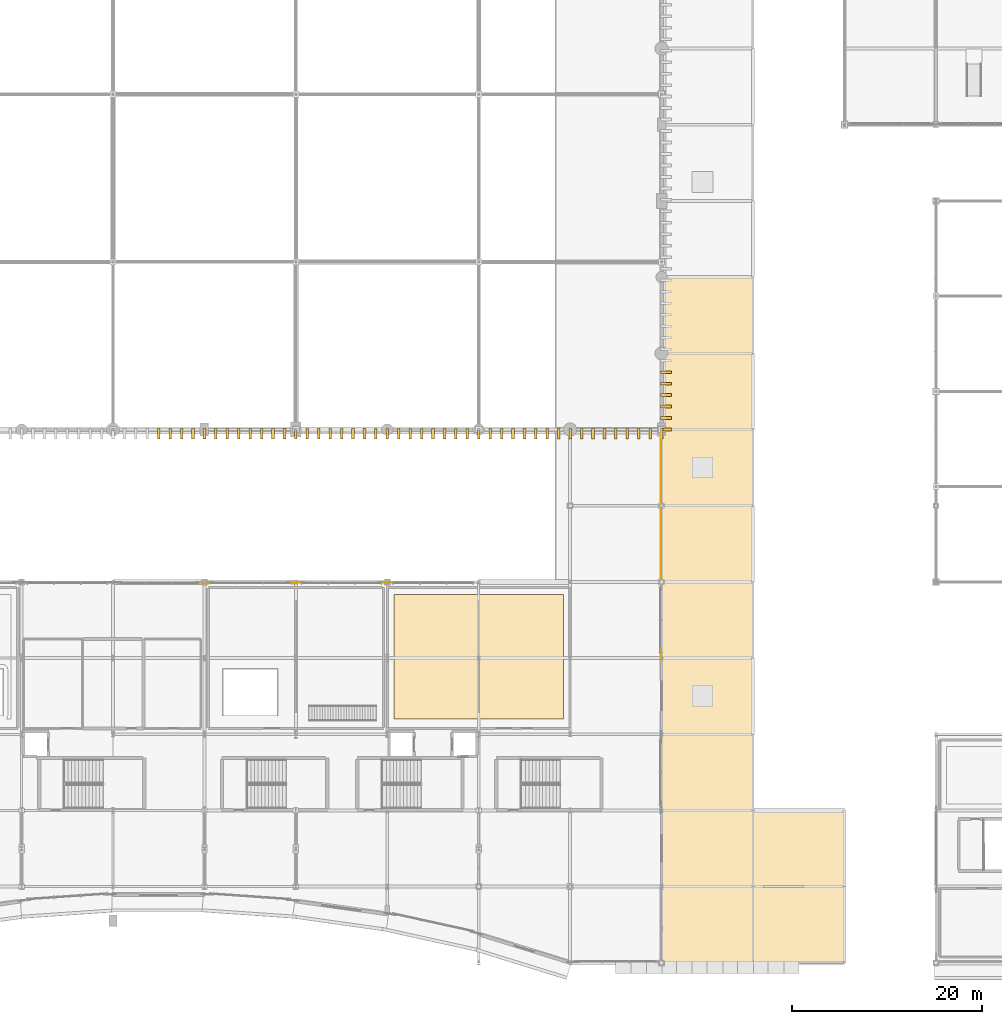
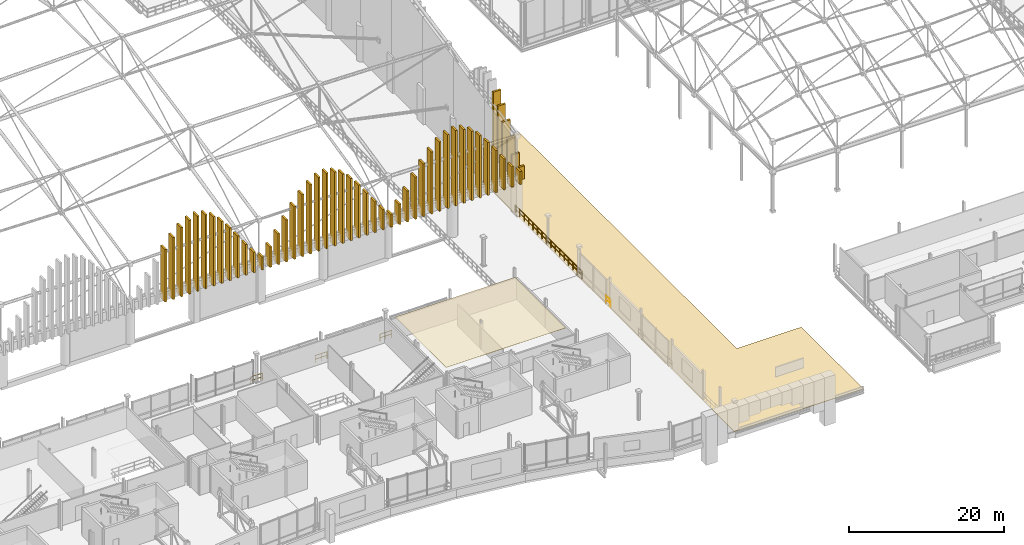
# One storey, part 180 of 193: 53 coverings, 5 railings.
"""IFC4 building model written with IfcOpenShell, lengths in metres."""

import ifcopenshell
import ifcopenshell.guid

model = None  # the IFC model being written
_history = None  # IfcOwnerHistory: only IFC2X3 demands one
_inside = {}  # id of a spatial element -> (the spatial element, [elements in it])
_under = {}  # id of a project, library or spatial element -> (it, [spatial elements below it])
_declared = {}  # id of a project -> (the project, [libraries it declares])
_typed = {}  # id of a type object -> (the type object, [elements of that type])
_made_of = {}  # id of a material, layer set ... -> (it, [elements and type objects made of it])


def new_model(schema):
    """Start an empty IFC model of exactly this schema.

    Asked for "IFC4X3", IfcOpenShell would pick the latest addendum, in which some entities
    have other attributes; the version numbers below select the first issue.
    IFC2X3 requires an IfcOwnerHistory on every rooted entity: one is made here for all.
    """
    global model, _history
    if schema == "IFC4X3":
        model = ifcopenshell.file(schema_version=(4, 3, 0, 0))
    else:
        model = ifcopenshell.file(schema=schema)
    _inside.clear()
    _under.clear()
    _declared.clear()
    _typed.clear()
    _made_of.clear()
    _history = None
    if model.schema == "IFC2X3":
        org = make("IfcOrganization", Name="unknown")
        user = make(
            "IfcPersonAndOrganization",
            ThePerson=make("IfcPerson", FamilyName="unknown"),
            TheOrganization=org,
        )
        app = make(
            "IfcApplication",
            ApplicationDeveloper=org,
            Version="unknown",
            ApplicationFullName="unknown",
            ApplicationIdentifier="unknown",
        )
        _history = make(
            "IfcOwnerHistory",
            OwningUser=user,
            OwningApplication=app,
            ChangeAction="ADDED",
            CreationDate=0,
        )
    return model


def make(cls, **values):
    """One entity of the class cls with the attributes given. An attribute that is None is left unset."""
    return model.create_entity(
        cls, **{name: value for name, value in values.items() if value is not None}
    )


def rooted(cls, **values):
    """An entity with a GlobalId (a new one), such as an element, a storey or a relation."""
    return make(cls, GlobalId=ifcopenshell.guid.new(), OwnerHistory=_history, **values)


def si_unit(unit_type, name, prefix=None):
    """IfcSIUnit, for example si_unit("LENGTHUNIT", "METRE", prefix="MILLI")."""
    return make("IfcSIUnit", UnitType=unit_type, Prefix=prefix, Name=name)


def assignment(units):
    """IfcUnitAssignment: the units of a project."""
    return None if units is None else make("IfcUnitAssignment", Units=units)


def point(xyz):
    """IfcCartesianPoint."""
    return None if xyz is None else make("IfcCartesianPoint", Coordinates=xyz)


def direction(xyz):
    """IfcDirection."""
    return None if xyz is None else make("IfcDirection", DirectionRatios=xyz)


def frame(location, z_axis=None, x_axis=None):
    """IfcAxis2Placement3D, a coordinate frame: its origin and axes. An axis left out is left unset."""
    return make(
        "IfcAxis2Placement3D",
        Location=point(location),
        Axis=direction(z_axis),
        RefDirection=direction(x_axis),
    )


def frame_2d(location, x_axis=None):
    """IfcAxis2Placement2D, a coordinate frame in the plane: its origin and x axis."""
    return make(
        "IfcAxis2Placement2D", Location=point(location), RefDirection=direction(x_axis)
    )


def origin():
    """The frame at (0, 0, 0) with its axes left unset."""
    return frame((0.0, 0.0, 0.0))


def origin_2d():
    """The frame at (0, 0) in the plane with its x axis left unset."""
    return frame_2d((0.0, 0.0))


def place(relative_to, where):
    """IfcLocalPlacement: puts the frame where relative to a parent placement (None: the world)."""
    return make(
        "IfcLocalPlacement", PlacementRelTo=relative_to, RelativePlacement=where
    )


def context(
    kind, dimensions, precision=None, world=None, true_north=None, identifier=None
):
    """IfcGeometricRepresentationContext, for example the 3D "Model" context."""
    return make(
        "IfcGeometricRepresentationContext",
        ContextIdentifier=identifier,
        ContextType=kind,
        CoordinateSpaceDimension=dimensions,
        Precision=precision,
        WorldCoordinateSystem=world,
        TrueNorth=true_north,
    )


def subcontext(parent, identifier, kind, view, scale=None):
    """IfcGeometricRepresentationSubContext, for example "Body" below "Model"."""
    return make(
        "IfcGeometricRepresentationSubContext",
        ContextIdentifier=identifier,
        ContextType=kind,
        ParentContext=parent,
        TargetScale=scale,
        TargetView=view,
    )


def project(units=None, contexts=None):
    """IfcProject with its units and contexts."""
    return rooted(
        "IfcProject",
        Name="project",
        RepresentationContexts=contexts,
        UnitsInContext=assignment(units),
    )


def spatial(cls, under=None, at=None, **own):
    """A site, building, storey or space (cls), placed at a placement, below another one or the project."""
    s = rooted(cls, ObjectPlacement=at, **own)
    if under is not None:
        _under.setdefault(under.id(), (under, []))[1].append(s)
    return s


def polyline(points):
    """IfcPolyline through the points."""
    return make("IfcPolyline", Points=[point(p) for p in points])


def profile(cls, at=None, kind="AREA", **sizes):
    """A parametric profile (cls). Its sizes go by their IFC names, for example OverallWidth=200.0."""
    return make(cls, ProfileType=kind, Position=at, **sizes)


def rectangle(**sizes):
    """IfcRectangleProfileDef."""
    return profile("IfcRectangleProfileDef", **sizes)


def circle(**sizes):
    """IfcCircleProfileDef."""
    return profile("IfcCircleProfileDef", **sizes)


def outline(outer, holes=None, kind="AREA"):
    """IfcArbitraryClosedProfileDef: a profile drawn as a closed curve; with holes, ...WithVoids."""
    if holes is None:
        return make("IfcArbitraryClosedProfileDef", ProfileType=kind, OuterCurve=outer)
    return make(
        "IfcArbitraryProfileDefWithVoids",
        ProfileType=kind,
        OuterCurve=outer,
        InnerCurves=holes,
    )


def extrude(swept, where, along, depth):
    """IfcExtrudedAreaSolid: the profile swept, set in the frame where, extruded along a direction by depth."""
    return make(
        "IfcExtrudedAreaSolid",
        SweptArea=swept,
        Position=where,
        ExtrudedDirection=direction(along),
        Depth=depth,
    )


def shape(context_of_items, identifier, shape_type, items):
    """IfcShapeRepresentation: the items that make up one representation, for example the "Body"."""
    return make(
        "IfcShapeRepresentation",
        ContextOfItems=context_of_items,
        RepresentationIdentifier=identifier,
        RepresentationType=shape_type,
        Items=items,
    )


def material(Name=None, Category=None):
    """IfcMaterial."""
    return make("IfcMaterial", Name=Name, Category=Category)


def layer(
    of_material, thickness, ventilated=None, Name=None, Category=None, Priority=None
):
    """IfcMaterialLayer: one layer of a wall or slab, of a material (None: an air gap)."""
    return make(
        "IfcMaterialLayer",
        Material=of_material,
        LayerThickness=thickness,
        IsVentilated=ventilated,
        Name=Name,
        Category=Category,
        Priority=Priority,
    )


def layer_set(layers, Name=None):
    """IfcMaterialLayerSet."""
    return make("IfcMaterialLayerSet", MaterialLayers=layers, LayerSetName=Name)


def made_of(thing, what):
    """Note that an element or type object is made of a material, layer set ...; save() writes the relation."""
    if what is not None:
        _made_of.setdefault(what.id(), (what, []))[1].append(thing)
    return thing


def type_object(cls, material=None, **own):
    """A type object (cls), such as IfcWallType, which elements share."""
    return made_of(rooted(cls, **own), material)


def element(
    cls,
    number,
    at=None,
    inside=None,
    cuts=None,
    type_object=None,
    material=None,
    context=None,
    identifier="Body",
    shape_type=None,
    held_by="IfcProductDefinitionShape",
    body=None,
    shapes=None,
    **own,
):
    """One element of the class cls, such as IfcWall. Its Tag is "e" and its number.

    at: its placement. inside: the storey or other place that contains it. cuts: it is an
    opening in that element (IfcRelVoidsElement). A single representation is given by context,
    identifier, shape_type and body (its items); several are given by shapes. held_by: the class
    of the entity that holds the representations. save() writes the other relations.
    """
    e = rooted(cls, Tag="e%d" % number, ObjectPlacement=at, **own)
    if body is not None:
        shapes = [shape(context, identifier, shape_type, body)]
    if shapes is not None:
        e.Representation = make(held_by, Representations=shapes)
    if inside is not None:
        _inside.setdefault(inside.id(), (inside, []))[1].append(e)
    if cuts is not None:
        rooted(
            "IfcRelVoidsElement", RelatingBuildingElement=cuts, RelatedOpeningElement=e
        )
    if type_object is not None:
        _typed.setdefault(type_object.id(), (type_object, []))[1].append(e)
    return made_of(e, material)


def aggregate(whole, parts):
    """IfcRelAggregates: a whole, such as a stair, and the parts it consists of."""
    return rooted("IfcRelAggregates", RelatingObject=whole, RelatedObjects=parts)


def save(model, path):
    """Write the relations noted so far, then the file.

    IfcRelAggregates (storeys below a building ...), IfcRelContainedInSpatialStructure (elements
    in a storey), IfcRelDefinesByType, IfcRelAssociatesMaterial and IfcRelDeclares: one each for
    every whole, place, type object, material and project.
    """
    for whole, parts in _under.values():
        aggregate(whole, parts)
    for where, things in _inside.values():
        rooted(
            "IfcRelContainedInSpatialStructure",
            RelatedElements=things,
            RelatingStructure=where,
        )
    for kind, things in _typed.values():
        rooted("IfcRelDefinesByType", RelatedObjects=things, RelatingType=kind)
    for what, things in _made_of.values():
        rooted("IfcRelAssociatesMaterial", RelatedObjects=things, RelatingMaterial=what)
    for by, libraries in _declared.values():
        rooted("IfcRelDeclares", RelatingContext=by, RelatedDefinitions=libraries)
    model.write(path)


model = new_model("IFC4")

# Units and contexts
model_context = context("Model", 3, precision=1e-05, world=origin(), true_north=direction((0.0, 1.0)))
body_context = subcontext(model_context, "Body", "Model", "MODEL_VIEW")
ifc_project = project(units=[si_unit("LENGTHUNIT", "METRE"), si_unit("AREAUNIT", "SQUARE_METRE"), si_unit("VOLUMEUNIT", "CUBIC_METRE"), si_unit("PLANEANGLEUNIT", "RADIAN"), si_unit("MASSUNIT", "GRAM", prefix="KILO")], contexts=[model_context])

# Site, building, storey
site_placement = place(None, origin())
site = spatial("IfcSite", under=ifc_project, at=site_placement, CompositionType="ELEMENT")
building_placement = place(site_placement, origin())
building = spatial("IfcBuilding", under=site, at=building_placement, Name="Danafjord Basin Convention Centre", CompositionType="ELEMENT")
storey_placement = place(building_placement, frame((0.0, 0.0, 11.39990234375)))
storey = spatial("IfcBuildingStorey", under=building, at=storey_placement, Name="L02", CompositionType="ELEMENT", Elevation=11.39990234375)

# Coverings
ifc_material_1 = material(Name="Perforated Nordic birch acoustic slats")
ifc_layer_1 = layer(ifc_material_1, 0.0400390625)
ifc_layer_set_1 = layer_set([ifc_layer_1], Name="Perforated Nordic birch acoustic slats")
covering_type_1 = type_object("IfcCoveringType", Name="COV-CLG-AC01", PredefinedType="CEILING", material=ifc_layer_set_1)
covering_1_placement = place(storey_placement, frame((0.0, 0.0, 3.989990234375)))
element("IfcCovering", 1, at=covering_1_placement, inside=storey, type_object=covering_type_1, Name="Subdivisible Conference Hall C204 acoustic ceiling", PredefinedType="CEILING", context=body_context, shape_type="SweptSolid", body=[
    extrude(outline(polyline([(104.89990234375, 38.699951171875), (104.89990234375, 25.590087890625), (87.10009765625, 25.590087890625), (87.10009765625, 38.699951171875), (104.89990234375, 38.699951171875)])), origin(), (0.0, 0.0, 1.0), 0.0400390625),
])
ifc_material_2 = material(Name="Architectural white precast concrete C45/55", Category="concrete")
ifc_layer_2 = layer(ifc_material_2, 0.280029296875)
ifc_layer_set_2 = layer_set([ifc_layer_2], Name="Architectural white precast concrete C45/55")
covering_type_2 = type_object("IfcCoveringType", Name="COV-FIN-RIDGE", PredefinedType="CLADDING", material=ifc_layer_set_2)
covering_2_placement = place(storey_placement, frame((62.39990234375, 55.550048828125, 5.150146484375), z_axis=(0.0, 0.0, 1.0), x_axis=(0.0, 1.0, 0.0)))
element("IfcCovering", 2, at=covering_2_placement, inside=storey, type_object=covering_type_2, Name="V1 S white vertical mountain-ridge fin 53", PredefinedType="CLADDING", context=body_context, shape_type="SweptSolid", body=[
    extrude(rectangle(XDim=1.139892578125, YDim=0.280029296875, at=origin_2d()), origin(), (0.0, 0.0, 1.0), 8.29541015625),
])
covering_3_placement = place(storey_placement, frame((63.60009765625, 55.550048828125, 5.14990234375), z_axis=(0.0, 0.0, 1.0), x_axis=(0.0, 1.0, 0.0)))
element("IfcCovering", 3, at=covering_3_placement, inside=storey, type_object=covering_type_2, Name="V1 S white vertical mountain-ridge fin 54", PredefinedType="CLADDING", context=body_context, shape_type="SweptSolid", body=[
    extrude(rectangle(XDim=1.139892578125, YDim=0.280029296875, at=origin_2d()), origin(), (0.0, 0.0, 1.0), 9.759521484375),
])
covering_4_placement = place(storey_placement, frame((64.800048828125, 55.550048828125, 5.150146484375), z_axis=(0.0, 0.0, 1.0), x_axis=(0.0, 1.0, 0.0)))
element("IfcCovering", 4, at=covering_4_placement, inside=storey, type_object=covering_type_2, Name="V1 S white vertical mountain-ridge fin 55", PredefinedType="CLADDING", context=body_context, shape_type="SweptSolid", body=[
    extrude(rectangle(XDim=1.139892578125, YDim=0.280029296875, at=origin_2d()), origin(), (0.0, 0.0, 1.0), 10.8916015625),
])
covering_5_placement = place(storey_placement, frame((66.0, 55.550048828125, 5.14990234375), z_axis=(0.0, 0.0, 1.0), x_axis=(0.0, 1.0, 0.0)))
element("IfcCovering", 5, at=covering_5_placement, inside=storey, type_object=covering_type_2, Name="V1 S white vertical mountain-ridge fin 56", PredefinedType="CLADDING", context=body_context, shape_type="SweptSolid", body=[
    extrude(rectangle(XDim=1.139892578125, YDim=0.280029296875, at=origin_2d()), origin(), (0.0, 0.0, 1.0), 11.60595703125),
])
covering_6_placement = place(storey_placement, frame((67.199951171875, 55.550048828125, 5.150146484375), z_axis=(0.0, 0.0, 1.0), x_axis=(0.0, 1.0, 0.0)))
element("IfcCovering", 6, at=covering_6_placement, inside=storey, type_object=covering_type_2, Name="V1 S white vertical mountain-ridge fin 57", PredefinedType="CLADDING", context=body_context, shape_type="SweptSolid", body=[
    extrude(rectangle(XDim=1.139892578125, YDim=0.280029296875, at=origin_2d()), origin(), (0.0, 0.0, 1.0), 11.85009765625),
])
covering_7_placement = place(storey_placement, frame((68.39990234375, 55.550048828125, 5.14990234375), z_axis=(0.0, 0.0, 1.0), x_axis=(0.0, 1.0, 0.0)))
element("IfcCovering", 7, at=covering_7_placement, inside=storey, type_object=covering_type_2, Name="V1 S white vertical mountain-ridge fin 58", PredefinedType="CLADDING", context=body_context, shape_type="SweptSolid", body=[
    extrude(rectangle(XDim=1.139892578125, YDim=0.280029296875, at=origin_2d()), origin(), (0.0, 0.0, 1.0), 11.60595703125),
])
covering_8_placement = place(storey_placement, frame((69.60009765625, 55.550048828125, 5.150146484375), z_axis=(0.0, 0.0, 1.0), x_axis=(0.0, 1.0, 0.0)))
element("IfcCovering", 8, at=covering_8_placement, inside=storey, type_object=covering_type_2, Name="V1 S white vertical mountain-ridge fin 59", PredefinedType="CLADDING", context=body_context, shape_type="SweptSolid", body=[
    extrude(rectangle(XDim=1.139892578125, YDim=0.280029296875, at=origin_2d()), origin(), (0.0, 0.0, 1.0), 10.8916015625),
])
covering_9_placement = place(storey_placement, frame((70.800048828125, 55.550048828125, 5.14990234375), z_axis=(0.0, 0.0, 1.0), x_axis=(0.0, 1.0, 0.0)))
element("IfcCovering", 9, at=covering_9_placement, inside=storey, type_object=covering_type_2, Name="V1 S white vertical mountain-ridge fin 60", PredefinedType="CLADDING", context=body_context, shape_type="SweptSolid", body=[
    extrude(rectangle(XDim=1.139892578125, YDim=0.280029296875, at=origin_2d()), origin(), (0.0, 0.0, 1.0), 9.759521484375),
])
covering_10_placement = place(storey_placement, frame((72.0, 55.550048828125, 5.150146484375), z_axis=(0.0, 0.0, 1.0), x_axis=(0.0, 1.0, 0.0)))
element("IfcCovering", 10, at=covering_10_placement, inside=storey, type_object=covering_type_2, Name="V1 S white vertical mountain-ridge fin 61", PredefinedType="CLADDING", context=body_context, shape_type="SweptSolid", body=[
    extrude(rectangle(XDim=1.139892578125, YDim=0.280029296875, at=origin_2d()), origin(), (0.0, 0.0, 1.0), 8.29541015625),
])
covering_11_placement = place(storey_placement, frame((73.199951171875, 55.550048828125, 5.14990234375), z_axis=(0.0, 0.0, 1.0), x_axis=(0.0, 1.0, 0.0)))
element("IfcCovering", 11, at=covering_11_placement, inside=storey, type_object=covering_type_2, Name="V1 S white vertical mountain-ridge fin 62", PredefinedType="CLADDING", context=body_context, shape_type="SweptSolid", body=[
    extrude(rectangle(XDim=1.139892578125, YDim=0.280029296875, at=origin_2d()), origin(), (0.0, 0.0, 1.0), 6.614501953125),
])
covering_12_placement = place(storey_placement, frame((74.39990234375, 55.550048828125, 5.150146484375), z_axis=(0.0, 0.0, 1.0), x_axis=(0.0, 1.0, 0.0)))
element("IfcCovering", 12, at=covering_12_placement, inside=storey, type_object=covering_type_2, Name="V1 S white vertical mountain-ridge fin 63", PredefinedType="CLADDING", context=body_context, shape_type="SweptSolid", body=[
    extrude(rectangle(XDim=1.139892578125, YDim=0.280029296875, at=origin_2d()), origin(), (0.0, 0.0, 1.0), 4.861328125),
])
covering_13_placement = place(storey_placement, frame((75.60009765625, 55.550048828125, 5.14990234375), z_axis=(0.0, 0.0, 1.0), x_axis=(0.0, 1.0, 0.0)))
element("IfcCovering", 13, at=covering_13_placement, inside=storey, type_object=covering_type_2, Name="V1 S white vertical mountain-ridge fin 64", PredefinedType="CLADDING", context=body_context, shape_type="SweptSolid", body=[
    extrude(rectangle(XDim=1.139892578125, YDim=0.280029296875, at=origin_2d()), origin(), (0.0, 0.0, 1.0), 3.220947265625),
])
covering_14_placement = place(storey_placement, frame((76.800048828125, 55.550048828125, 5.14990234375), z_axis=(0.0, 0.0, 1.0), x_axis=(0.0, 1.0, 0.0)))
element("IfcCovering", 14, at=covering_14_placement, inside=storey, type_object=covering_type_2, Name="V1 S white vertical mountain-ridge fin 65", PredefinedType="CLADDING", context=body_context, shape_type="SweptSolid", body=[
    extrude(rectangle(XDim=1.139892578125, YDim=0.280029296875, at=origin_2d()), origin(), (0.0, 0.0, 1.0), 2.050048828125),
])
covering_15_placement = place(storey_placement, frame((78.0, 55.550048828125, 5.14990234375), z_axis=(0.0, 0.0, 1.0), x_axis=(0.0, 1.0, 0.0)))
element("IfcCovering", 15, at=covering_15_placement, inside=storey, type_object=covering_type_2, Name="V1 S white vertical mountain-ridge fin 66", PredefinedType="CLADDING", context=body_context, shape_type="SweptSolid", body=[
    extrude(rectangle(XDim=1.139892578125, YDim=0.280029296875, at=origin_2d()), origin(), (0.0, 0.0, 1.0), 3.220947265625),
])
covering_16_placement = place(storey_placement, frame((79.199951171875, 55.550048828125, 5.150146484375), z_axis=(0.0, 0.0, 1.0), x_axis=(0.0, 1.0, 0.0)))
element("IfcCovering", 16, at=covering_16_placement, inside=storey, type_object=covering_type_2, Name="V1 S white vertical mountain-ridge fin 67", PredefinedType="CLADDING", context=body_context, shape_type="SweptSolid", body=[
    extrude(rectangle(XDim=1.139892578125, YDim=0.280029296875, at=origin_2d()), origin(), (0.0, 0.0, 1.0), 4.861328125),
])
covering_17_placement = place(storey_placement, frame((80.39990234375, 55.550048828125, 5.14990234375), z_axis=(0.0, 0.0, 1.0), x_axis=(0.0, 1.0, 0.0)))
element("IfcCovering", 17, at=covering_17_placement, inside=storey, type_object=covering_type_2, Name="V1 S white vertical mountain-ridge fin 68", PredefinedType="CLADDING", context=body_context, shape_type="SweptSolid", body=[
    extrude(rectangle(XDim=1.139892578125, YDim=0.280029296875, at=origin_2d()), origin(), (0.0, 0.0, 1.0), 6.614501953125),
])
covering_18_placement = place(storey_placement, frame((81.60009765625, 55.550048828125, 5.150146484375), z_axis=(0.0, 0.0, 1.0), x_axis=(0.0, 1.0, 0.0)))
element("IfcCovering", 18, at=covering_18_placement, inside=storey, type_object=covering_type_2, Name="V1 S white vertical mountain-ridge fin 69", PredefinedType="CLADDING", context=body_context, shape_type="SweptSolid", body=[
    extrude(rectangle(XDim=1.139892578125, YDim=0.280029296875, at=origin_2d()), origin(), (0.0, 0.0, 1.0), 8.29541015625),
])
covering_19_placement = place(storey_placement, frame((82.800048828125, 55.550048828125, 5.14990234375), z_axis=(0.0, 0.0, 1.0), x_axis=(0.0, 1.0, 0.0)))
element("IfcCovering", 19, at=covering_19_placement, inside=storey, type_object=covering_type_2, Name="V1 S white vertical mountain-ridge fin 70", PredefinedType="CLADDING", context=body_context, shape_type="SweptSolid", body=[
    extrude(rectangle(XDim=1.139892578125, YDim=0.280029296875, at=origin_2d()), origin(), (0.0, 0.0, 1.0), 9.759521484375),
])
covering_20_placement = place(storey_placement, frame((84.0, 55.550048828125, 5.150146484375), z_axis=(0.0, 0.0, 1.0), x_axis=(0.0, 1.0, 0.0)))
element("IfcCovering", 20, at=covering_20_placement, inside=storey, type_object=covering_type_2, Name="V1 S white vertical mountain-ridge fin 71", PredefinedType="CLADDING", context=body_context, shape_type="SweptSolid", body=[
    extrude(rectangle(XDim=1.139892578125, YDim=0.280029296875, at=origin_2d()), origin(), (0.0, 0.0, 1.0), 10.8916015625),
])
covering_21_placement = place(storey_placement, frame((85.199951171875, 55.550048828125, 5.14990234375), z_axis=(0.0, 0.0, 1.0), x_axis=(0.0, 1.0, 0.0)))
element("IfcCovering", 21, at=covering_21_placement, inside=storey, type_object=covering_type_2, Name="V1 S white vertical mountain-ridge fin 72", PredefinedType="CLADDING", context=body_context, shape_type="SweptSolid", body=[
    extrude(rectangle(XDim=1.139892578125, YDim=0.280029296875, at=origin_2d()), origin(), (0.0, 0.0, 1.0), 11.60595703125),
])
covering_22_placement = place(storey_placement, frame((86.39990234375, 55.550048828125, 5.150146484375), z_axis=(0.0, 0.0, 1.0), x_axis=(0.0, 1.0, 0.0)))
element("IfcCovering", 22, at=covering_22_placement, inside=storey, type_object=covering_type_2, Name="V1 S white vertical mountain-ridge fin 73", PredefinedType="CLADDING", context=body_context, shape_type="SweptSolid", body=[
    extrude(rectangle(XDim=1.139892578125, YDim=0.280029296875, at=origin_2d()), origin(), (0.0, 0.0, 1.0), 11.85009765625),
])
covering_23_placement = place(storey_placement, frame((87.60009765625, 55.550048828125, 5.14990234375), z_axis=(0.0, 0.0, 1.0), x_axis=(0.0, 1.0, 0.0)))
element("IfcCovering", 23, at=covering_23_placement, inside=storey, type_object=covering_type_2, Name="V1 S white vertical mountain-ridge fin 74", PredefinedType="CLADDING", context=body_context, shape_type="SweptSolid", body=[
    extrude(rectangle(XDim=1.139892578125, YDim=0.280029296875, at=origin_2d()), origin(), (0.0, 0.0, 1.0), 11.60595703125),
])
covering_24_placement = place(storey_placement, frame((88.800048828125, 55.550048828125, 5.150146484375), z_axis=(0.0, 0.0, 1.0), x_axis=(0.0, 1.0, 0.0)))
element("IfcCovering", 24, at=covering_24_placement, inside=storey, type_object=covering_type_2, Name="V1 S white vertical mountain-ridge fin 75", PredefinedType="CLADDING", context=body_context, shape_type="SweptSolid", body=[
    extrude(rectangle(XDim=1.139892578125, YDim=0.280029296875, at=origin_2d()), origin(), (0.0, 0.0, 1.0), 10.8916015625),
])
covering_25_placement = place(storey_placement, frame((90.0, 55.550048828125, 5.14990234375), z_axis=(0.0, 0.0, 1.0), x_axis=(0.0, 1.0, 0.0)))
element("IfcCovering", 25, at=covering_25_placement, inside=storey, type_object=covering_type_2, Name="V1 S white vertical mountain-ridge fin 76", PredefinedType="CLADDING", context=body_context, shape_type="SweptSolid", body=[
    extrude(rectangle(XDim=1.139892578125, YDim=0.280029296875, at=origin_2d()), origin(), (0.0, 0.0, 1.0), 9.759521484375),
])
covering_26_placement = place(storey_placement, frame((91.199951171875, 55.550048828125, 5.150146484375), z_axis=(0.0, 0.0, 1.0), x_axis=(0.0, 1.0, 0.0)))
element("IfcCovering", 26, at=covering_26_placement, inside=storey, type_object=covering_type_2, Name="V1 S white vertical mountain-ridge fin 77", PredefinedType="CLADDING", context=body_context, shape_type="SweptSolid", body=[
    extrude(rectangle(XDim=1.139892578125, YDim=0.280029296875, at=origin_2d()), origin(), (0.0, 0.0, 1.0), 8.29541015625),
])
covering_27_placement = place(storey_placement, frame((92.39990234375, 55.550048828125, 5.14990234375), z_axis=(0.0, 0.0, 1.0), x_axis=(0.0, 1.0, 0.0)))
element("IfcCovering", 27, at=covering_27_placement, inside=storey, type_object=covering_type_2, Name="V1 S white vertical mountain-ridge fin 78", PredefinedType="CLADDING", context=body_context, shape_type="SweptSolid", body=[
    extrude(rectangle(XDim=1.139892578125, YDim=0.280029296875, at=origin_2d()), origin(), (0.0, 0.0, 1.0), 6.614501953125),
])
covering_28_placement = place(storey_placement, frame((93.60009765625, 55.550048828125, 5.150146484375), z_axis=(0.0, 0.0, 1.0), x_axis=(0.0, 1.0, 0.0)))
element("IfcCovering", 28, at=covering_28_placement, inside=storey, type_object=covering_type_2, Name="V1 S white vertical mountain-ridge fin 79", PredefinedType="CLADDING", context=body_context, shape_type="SweptSolid", body=[
    extrude(rectangle(XDim=1.139892578125, YDim=0.280029296875, at=origin_2d()), origin(), (0.0, 0.0, 1.0), 4.861328125),
])
covering_29_placement = place(storey_placement, frame((94.800048828125, 55.550048828125, 5.14990234375), z_axis=(0.0, 0.0, 1.0), x_axis=(0.0, 1.0, 0.0)))
element("IfcCovering", 29, at=covering_29_placement, inside=storey, type_object=covering_type_2, Name="V1 S white vertical mountain-ridge fin 80", PredefinedType="CLADDING", context=body_context, shape_type="SweptSolid", body=[
    extrude(rectangle(XDim=1.139892578125, YDim=0.280029296875, at=origin_2d()), origin(), (0.0, 0.0, 1.0), 3.220947265625),
])
covering_30_placement = place(storey_placement, frame((96.0, 55.550048828125, 5.14990234375), z_axis=(0.0, 0.0, 1.0), x_axis=(0.0, 1.0, 0.0)))
element("IfcCovering", 30, at=covering_30_placement, inside=storey, type_object=covering_type_2, Name="V1 S white vertical mountain-ridge fin 81", PredefinedType="CLADDING", context=body_context, shape_type="SweptSolid", body=[
    extrude(rectangle(XDim=1.139892578125, YDim=0.280029296875, at=origin_2d()), origin(), (0.0, 0.0, 1.0), 2.050048828125),
])
covering_31_placement = place(storey_placement, frame((97.199951171875, 55.550048828125, 5.14990234375), z_axis=(0.0, 0.0, 1.0), x_axis=(0.0, 1.0, 0.0)))
element("IfcCovering", 31, at=covering_31_placement, inside=storey, type_object=covering_type_2, Name="V1 S white vertical mountain-ridge fin 82", PredefinedType="CLADDING", context=body_context, shape_type="SweptSolid", body=[
    extrude(rectangle(XDim=1.139892578125, YDim=0.280029296875, at=origin_2d()), origin(), (0.0, 0.0, 1.0), 3.220947265625),
])
covering_32_placement = place(storey_placement, frame((98.39990234375, 55.550048828125, 5.150146484375), z_axis=(0.0, 0.0, 1.0), x_axis=(0.0, 1.0, 0.0)))
element("IfcCovering", 32, at=covering_32_placement, inside=storey, type_object=covering_type_2, Name="V1 S white vertical mountain-ridge fin 83", PredefinedType="CLADDING", context=body_context, shape_type="SweptSolid", body=[
    extrude(rectangle(XDim=1.139892578125, YDim=0.280029296875, at=origin_2d()), origin(), (0.0, 0.0, 1.0), 4.861328125),
])
covering_33_placement = place(storey_placement, frame((99.60009765625, 55.550048828125, 5.14990234375), z_axis=(0.0, 0.0, 1.0), x_axis=(0.0, 1.0, 0.0)))
element("IfcCovering", 33, at=covering_33_placement, inside=storey, type_object=covering_type_2, Name="V1 S white vertical mountain-ridge fin 84", PredefinedType="CLADDING", context=body_context, shape_type="SweptSolid", body=[
    extrude(rectangle(XDim=1.139892578125, YDim=0.280029296875, at=origin_2d()), origin(), (0.0, 0.0, 1.0), 6.614501953125),
])
covering_34_placement = place(storey_placement, frame((100.800048828125, 55.550048828125, 5.150146484375), z_axis=(0.0, 0.0, 1.0), x_axis=(0.0, 1.0, 0.0)))
element("IfcCovering", 34, at=covering_34_placement, inside=storey, type_object=covering_type_2, Name="V1 S white vertical mountain-ridge fin 85", PredefinedType="CLADDING", context=body_context, shape_type="SweptSolid", body=[
    extrude(rectangle(XDim=1.139892578125, YDim=0.280029296875, at=origin_2d()), origin(), (0.0, 0.0, 1.0), 8.29541015625),
])
covering_35_placement = place(storey_placement, frame((102.0, 55.550048828125, 5.14990234375), z_axis=(0.0, 0.0, 1.0), x_axis=(0.0, 1.0, 0.0)))
element("IfcCovering", 35, at=covering_35_placement, inside=storey, type_object=covering_type_2, Name="V1 S white vertical mountain-ridge fin 86", PredefinedType="CLADDING", context=body_context, shape_type="SweptSolid", body=[
    extrude(rectangle(XDim=1.139892578125, YDim=0.280029296875, at=origin_2d()), origin(), (0.0, 0.0, 1.0), 9.759521484375),
])
covering_36_placement = place(storey_placement, frame((103.199951171875, 55.550048828125, 5.150146484375), z_axis=(0.0, 0.0, 1.0), x_axis=(0.0, 1.0, 0.0)))
element("IfcCovering", 36, at=covering_36_placement, inside=storey, type_object=covering_type_2, Name="V1 S white vertical mountain-ridge fin 87", PredefinedType="CLADDING", context=body_context, shape_type="SweptSolid", body=[
    extrude(rectangle(XDim=1.139892578125, YDim=0.280029296875, at=origin_2d()), origin(), (0.0, 0.0, 1.0), 10.8916015625),
])
covering_37_placement = place(storey_placement, frame((104.39990234375, 55.550048828125, 5.14990234375), z_axis=(0.0, 0.0, 1.0), x_axis=(0.0, 1.0, 0.0)))
element("IfcCovering", 37, at=covering_37_placement, inside=storey, type_object=covering_type_2, Name="V1 S white vertical mountain-ridge fin 88", PredefinedType="CLADDING", context=body_context, shape_type="SweptSolid", body=[
    extrude(rectangle(XDim=1.139892578125, YDim=0.280029296875, at=origin_2d()), origin(), (0.0, 0.0, 1.0), 11.60595703125),
])
covering_38_placement = place(storey_placement, frame((105.60009765625, 55.550048828125, 5.150146484375), z_axis=(0.0, 0.0, 1.0), x_axis=(0.0, 1.0, 0.0)))
element("IfcCovering", 38, at=covering_38_placement, inside=storey, type_object=covering_type_2, Name="V1 S white vertical mountain-ridge fin 89", PredefinedType="CLADDING", context=body_context, shape_type="SweptSolid", body=[
    extrude(rectangle(XDim=1.139892578125, YDim=0.280029296875, at=origin_2d()), origin(), (0.0, 0.0, 1.0), 11.85009765625),
])
covering_39_placement = place(storey_placement, frame((106.800048828125, 55.550048828125, 5.14990234375), z_axis=(0.0, 0.0, 1.0), x_axis=(0.0, 1.0, 0.0)))
element("IfcCovering", 39, at=covering_39_placement, inside=storey, type_object=covering_type_2, Name="V1 S white vertical mountain-ridge fin 90", PredefinedType="CLADDING", context=body_context, shape_type="SweptSolid", body=[
    extrude(rectangle(XDim=1.139892578125, YDim=0.280029296875, at=origin_2d()), origin(), (0.0, 0.0, 1.0), 11.60595703125),
])
covering_40_placement = place(storey_placement, frame((108.0, 55.550048828125, 5.150146484375), z_axis=(0.0, 0.0, 1.0), x_axis=(0.0, 1.0, 0.0)))
element("IfcCovering", 40, at=covering_40_placement, inside=storey, type_object=covering_type_2, Name="V1 S white vertical mountain-ridge fin 91", PredefinedType="CLADDING", context=body_context, shape_type="SweptSolid", body=[
    extrude(rectangle(XDim=1.139892578125, YDim=0.280029296875, at=origin_2d()), origin(), (0.0, 0.0, 1.0), 10.8916015625),
])
covering_41_placement = place(storey_placement, frame((109.199951171875, 55.550048828125, 5.14990234375), z_axis=(0.0, 0.0, 1.0), x_axis=(0.0, 1.0, 0.0)))
element("IfcCovering", 41, at=covering_41_placement, inside=storey, type_object=covering_type_2, Name="V1 S white vertical mountain-ridge fin 92", PredefinedType="CLADDING", context=body_context, shape_type="SweptSolid", body=[
    extrude(rectangle(XDim=1.139892578125, YDim=0.280029296875, at=origin_2d()), origin(), (0.0, 0.0, 1.0), 9.759521484375),
])
covering_42_placement = place(storey_placement, frame((110.39990234375, 55.550048828125, 5.150146484375), z_axis=(0.0, 0.0, 1.0), x_axis=(0.0, 1.0, 0.0)))
element("IfcCovering", 42, at=covering_42_placement, inside=storey, type_object=covering_type_2, Name="V1 S white vertical mountain-ridge fin 93", PredefinedType="CLADDING", context=body_context, shape_type="SweptSolid", body=[
    extrude(rectangle(XDim=1.139892578125, YDim=0.280029296875, at=origin_2d()), origin(), (0.0, 0.0, 1.0), 8.29541015625),
])
covering_43_placement = place(storey_placement, frame((111.60009765625, 55.550048828125, 5.14990234375), z_axis=(0.0, 0.0, 1.0), x_axis=(0.0, 1.0, 0.0)))
element("IfcCovering", 43, at=covering_43_placement, inside=storey, type_object=covering_type_2, Name="V1 S white vertical mountain-ridge fin 94", PredefinedType="CLADDING", context=body_context, shape_type="SweptSolid", body=[
    extrude(rectangle(XDim=1.139892578125, YDim=0.280029296875, at=origin_2d()), origin(), (0.0, 0.0, 1.0), 6.614501953125),
])
covering_44_placement = place(storey_placement, frame((112.800048828125, 55.550048828125, 5.150146484375), z_axis=(0.0, 0.0, 1.0), x_axis=(0.0, 1.0, 0.0)))
element("IfcCovering", 44, at=covering_44_placement, inside=storey, type_object=covering_type_2, Name="V1 S white vertical mountain-ridge fin 95", PredefinedType="CLADDING", context=body_context, shape_type="SweptSolid", body=[
    extrude(rectangle(XDim=1.139892578125, YDim=0.280029296875, at=origin_2d()), origin(), (0.0, 0.0, 1.0), 4.861328125),
])
covering_45_placement = place(storey_placement, frame((114.0, 55.550048828125, 5.14990234375), z_axis=(0.0, 0.0, 1.0), x_axis=(0.0, 1.0, 0.0)))
element("IfcCovering", 45, at=covering_45_placement, inside=storey, type_object=covering_type_2, Name="V1 S white vertical mountain-ridge fin 96", PredefinedType="CLADDING", context=body_context, shape_type="SweptSolid", body=[
    extrude(rectangle(XDim=1.139892578125, YDim=0.280029296875, at=origin_2d()), origin(), (0.0, 0.0, 1.0), 3.220947265625),
])
for number, where, z_axis, x_axis, name in (
    (46, (115.199951171875, 55.550048828125, 5.14990234375), (0.0, 0.0, 1.0), (0.0, 1.0, 0.0), "V1 S white vertical mountain-ridge fin 97"),
    (47, (115.64990234375, 56.0, 5.14990234375), (0.0, 0.0, 1.0), (1.0, 0.0, 0.0), "V1 E white vertical mountain-ridge fin 269"),
):
    element("IfcCovering", number, at=place(storey_placement, frame(where, z_axis=z_axis, x_axis=x_axis)), inside=storey, type_object=covering_type_2, Name=name, PredefinedType="CLADDING", context=body_context, shape_type="SweptSolid", body=[
        extrude(rectangle(XDim=1.139892578125, YDim=0.280029296875, at=origin_2d()), origin(), (0.0, 0.0, 1.0), 2.050048828125),
    ])
covering_46_placement = place(storey_placement, frame((115.64990234375, 57.20556640625, 5.150146484375), z_axis=(0.0, 0.0, 1.0), x_axis=(1.0, 0.0, 0.0)))
element("IfcCovering", 48, at=covering_46_placement, inside=storey, type_object=covering_type_2, Name="V1 E white vertical mountain-ridge fin 270", PredefinedType="CLADDING", context=body_context, shape_type="SweptSolid", body=[
    extrude(rectangle(XDim=1.139892578125, YDim=0.280029296875, at=origin_2d()), origin(), (0.0, 0.0, 1.0), 3.36669921875),
])
covering_47_placement = place(storey_placement, frame((115.64990234375, 58.410888671875, 5.150146484375), z_axis=(0.0, 0.0, 1.0), x_axis=(1.0, 0.0, 0.0)))
element("IfcCovering", 49, at=covering_47_placement, inside=storey, type_object=covering_type_2, Name="V1 E white vertical mountain-ridge fin 271", PredefinedType="CLADDING", context=body_context, shape_type="SweptSolid", body=[
    extrude(rectangle(XDim=1.139892578125, YDim=0.280029296875, at=origin_2d()), origin(), (0.0, 0.0, 1.0), 5.1953125),
])
covering_48_placement = place(storey_placement, frame((115.64990234375, 59.616455078125, 5.150146484375), z_axis=(0.0, 0.0, 1.0), x_axis=(1.0, 0.0, 0.0)))
element("IfcCovering", 50, at=covering_48_placement, inside=storey, type_object=covering_type_2, Name="V1 E white vertical mountain-ridge fin 272", PredefinedType="CLADDING", context=body_context, shape_type="SweptSolid", body=[
    extrude(rectangle(XDim=1.139892578125, YDim=0.280029296875, at=origin_2d()), origin(), (0.0, 0.0, 1.0), 7.1123046875),
])
covering_49_placement = place(storey_placement, frame((115.64990234375, 60.822021484375, 5.14990234375), z_axis=(0.0, 0.0, 1.0), x_axis=(1.0, 0.0, 0.0)))
element("IfcCovering", 51, at=covering_49_placement, inside=storey, type_object=covering_type_2, Name="V1 E white vertical mountain-ridge fin 273", PredefinedType="CLADDING", context=body_context, shape_type="SweptSolid", body=[
    extrude(rectangle(XDim=1.139892578125, YDim=0.280029296875, at=origin_2d()), origin(), (0.0, 0.0, 1.0), 8.889404296875),
])
covering_50_placement = place(storey_placement, frame((115.64990234375, 62.02734375, 5.150146484375), z_axis=(0.0, 0.0, 1.0), x_axis=(1.0, 0.0, 0.0)))
element("IfcCovering", 52, at=covering_50_placement, inside=storey, type_object=covering_type_2, Name="V1 E white vertical mountain-ridge fin 274", PredefinedType="CLADDING", context=body_context, shape_type="SweptSolid", body=[
    extrude(rectangle(XDim=1.139892578125, YDim=0.280029296875, at=origin_2d()), origin(), (0.0, 0.0, 1.0), 10.349609375),
])
ifc_material_3 = material(Name="EPDM insulated roof membrane")
ifc_layer_3 = layer(ifc_material_3, 0.06005859375)
ifc_layer_set_3 = layer_set([ifc_layer_3], Name="EPDM insulated roof membrane")
covering_type_3 = type_object("IfcCoveringType", Name="COV-ROOF-EPDM", PredefinedType="ROOFING", material=ifc_layer_set_3)
covering_51_placement = place(storey_placement, frame((0.0, 0.0, -0.419921875)))
element("IfcCovering", 53, at=covering_51_placement, inside=storey, type_object=covering_type_3, Name="L02 roof membrane RF-FLAT-V6S", PredefinedType="ROOFING", context=body_context, shape_type="SweptSolid", body=[
    extrude(outline(polyline([(115.199951171875, 0.0), (115.199951171875, 72.0), (124.800048828125, 72.0), (124.800048828125, 16.0), (134.39990234375, 16.0), (134.39990234375, 0.0), (115.199951171875, 0.0)])), origin(), (0.0, 0.0, 1.0), 0.06005859375),
])

# Railings
ifc_material_4 = material(Name="Laminated structural glass and stainless steel", Category="steel")
railing_type = type_object("IfcRailingType", Name="RL-BAL-GLS", PredefinedType="BALUSTRADE", material=ifc_material_4)
railing_1_placement = place(storey_placement, frame((115.1201171875, 56.280029296875, 0.0)))
element("IfcRailing", 54, at=railing_1_placement, inside=storey, type_object=railing_type, Name="L02 safety guard balustrade 169", PredefinedType="BALUSTRADE", context=body_context, shape_type="SweptSolid", body=[
    extrude(circle(Radius=0.02392578125, at=origin_2d()), frame((0.0, 0.0, 1.1259765625), z_axis=(0.0, -1.0, 0.0), x_axis=(1.0, 0.0, 0.0)), (0.0, 0.0, 1.0), 17.159912109375),
    extrude(circle(Radius=0.02392578125, at=origin_2d()), frame((0.0, 0.0, 0.55078125), z_axis=(0.0, -1.0, 0.0), x_axis=(1.0, 0.0, 0.0)), (0.0, 0.0, 1.0), 17.159912109375),
    extrude(circle(Radius=0.02099609375, at=origin_2d()), origin(), (0.0, 0.0, 1.0), 1.099853515625),
    extrude(circle(Radius=0.02099609375, at=origin_2d()), frame((0.0, -1.14404296875, 0.0)), (0.0, 0.0, 1.0), 1.099853515625),
    extrude(circle(Radius=0.02099609375, at=origin_2d()), frame((0.0, -2.2880859375, 0.0)), (0.0, 0.0, 1.0), 1.099853515625),
    extrude(circle(Radius=0.02099609375, at=origin_2d()), frame((0.0, -3.431884765625, 0.0)), (0.0, 0.0, 1.0), 1.099853515625),
    extrude(circle(Radius=0.02099609375, at=origin_2d()), frame((0.0, -4.575927734375, 0.0)), (0.0, 0.0, 1.0), 1.099853515625),
    extrude(circle(Radius=0.02099609375, at=origin_2d()), frame((0.0, -5.719970703125, 0.0)), (0.0, 0.0, 1.0), 1.099853515625),
    extrude(circle(Radius=0.02099609375, at=origin_2d()), frame((0.0, -6.864013671875, 0.0)), (0.0, 0.0, 1.0), 1.099853515625),
    extrude(circle(Radius=0.02099609375, at=origin_2d()), frame((0.0, -8.008056640625, 0.0)), (0.0, 0.0, 1.0), 1.099853515625),
    extrude(circle(Radius=0.02099609375, at=origin_2d()), frame((0.0, -9.15185546875, 0.0)), (0.0, 0.0, 1.0), 1.099853515625),
    extrude(circle(Radius=0.02099609375, at=origin_2d()), frame((0.0, -10.2958984375, 0.0)), (0.0, 0.0, 1.0), 1.099853515625),
    extrude(circle(Radius=0.02099609375, at=origin_2d()), frame((0.0, -11.43994140625, 0.0)), (0.0, 0.0, 1.0), 1.099853515625),
    extrude(circle(Radius=0.02099609375, at=origin_2d()), frame((0.0, -12.583984375, 0.0)), (0.0, 0.0, 1.0), 1.099853515625),
    extrude(circle(Radius=0.02099609375, at=origin_2d()), frame((0.0, -13.72802734375, 0.0)), (0.0, 0.0, 1.0), 1.099853515625),
    extrude(circle(Radius=0.02099609375, at=origin_2d()), frame((0.0, -14.871826171875, 0.0)), (0.0, 0.0, 1.0), 1.099853515625),
    extrude(circle(Radius=0.02099609375, at=origin_2d()), frame((0.0, -16.015869140625, 0.0)), (0.0, 0.0, 1.0), 1.099853515625),
    extrude(circle(Radius=0.02099609375, at=origin_2d()), frame((0.0, -17.159912109375, 0.0)), (0.0, 0.0, 1.0), 1.099853515625),
])
railing_2_placement = place(storey_placement, frame((115.1201171875, 32.8798828125, 0.0)))
element("IfcRailing", 55, at=railing_2_placement, inside=storey, type_object=railing_type, Name="L02 safety guard balustrade 170", PredefinedType="BALUSTRADE", context=body_context, shape_type="SweptSolid", body=[
    extrude(circle(Radius=0.02392578125, at=origin_2d()), frame((0.0, 0.0, 1.1259765625), z_axis=(0.0, -1.0, 0.0), x_axis=(1.0, 0.0, 0.0)), (0.0, 0.0, 1.0), 1.159912109375),
    extrude(circle(Radius=0.02392578125, at=origin_2d()), frame((0.0, 0.0, 0.55078125), z_axis=(0.0, -1.0, 0.0), x_axis=(1.0, 0.0, 0.0)), (0.0, 0.0, 1.0), 1.159912109375),
    extrude(circle(Radius=0.02099609375, at=origin_2d()), origin(), (0.0, 0.0, 1.0), 1.099853515625),
    extrude(circle(Radius=0.02099609375, at=origin_2d()), frame((0.0, -1.159912109375, 0.0)), (0.0, 0.0, 1.0), 1.099853515625),
])
for number, where, name in (
    (56, (66.320068359375, 39.919921875, 0.0), "L02 safety guard balustrade 196"),
    (57, (75.919921875, 39.919921875, 0.0), "L02 safety guard balustrade 197"),
    (58, (85.52001953125, 39.919921875, 0.0), "L02 safety guard balustrade 198"),
):
    element("IfcRailing", number, at=place(storey_placement, frame(where)), inside=storey, type_object=railing_type, Name=name, PredefinedType="BALUSTRADE", context=body_context, shape_type="SweptSolid", body=[
        extrude(circle(Radius=0.02392578125, at=origin_2d()), frame((0.0, 0.0, 1.1259765625), z_axis=(1.0, 0.0, 0.0), x_axis=(0.0, 1.0, 0.0)), (0.0, 0.0, 1.0), 1.760009765625),
        extrude(circle(Radius=0.02392578125, at=origin_2d()), frame((0.0, 0.0, 0.55078125), z_axis=(1.0, 0.0, 0.0), x_axis=(0.0, 1.0, 0.0)), (0.0, 0.0, 1.0), 1.760009765625),
        extrude(circle(Radius=0.02099609375, at=origin_2d()), origin(), (0.0, 0.0, 1.0), 1.099853515625),
        extrude(circle(Radius=0.02099609375, at=origin_2d()), frame((0.8798828125, 0.0, 0.0)), (0.0, 0.0, 1.0), 1.099853515625),
        extrude(circle(Radius=0.02099609375, at=origin_2d()), frame((1.760009765625, 0.0, 0.0)), (0.0, 0.0, 1.0), 1.099853515625),
    ])

save(model, "model.ifc")
